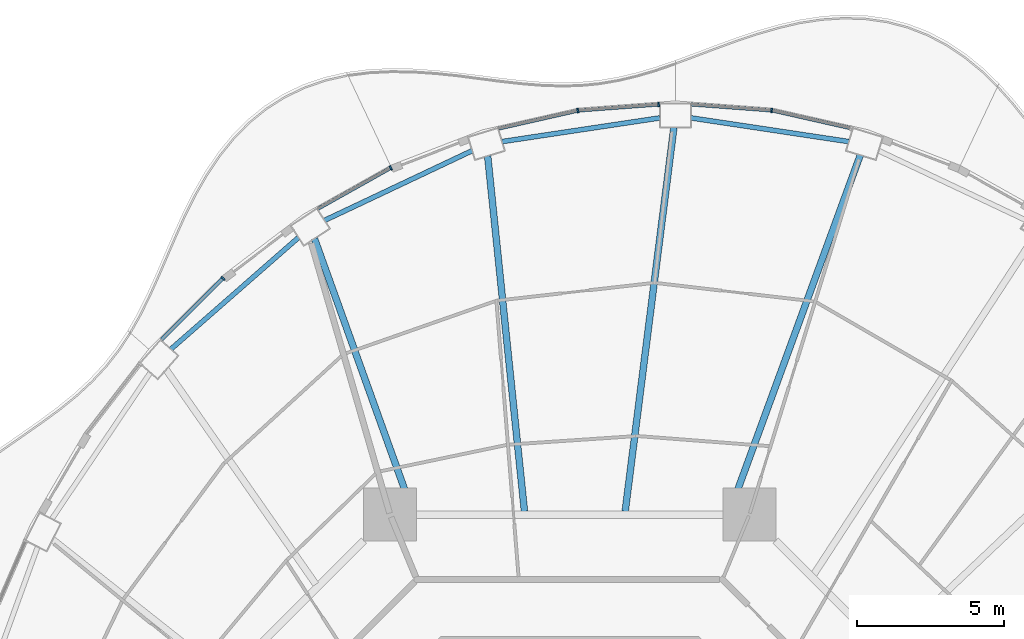
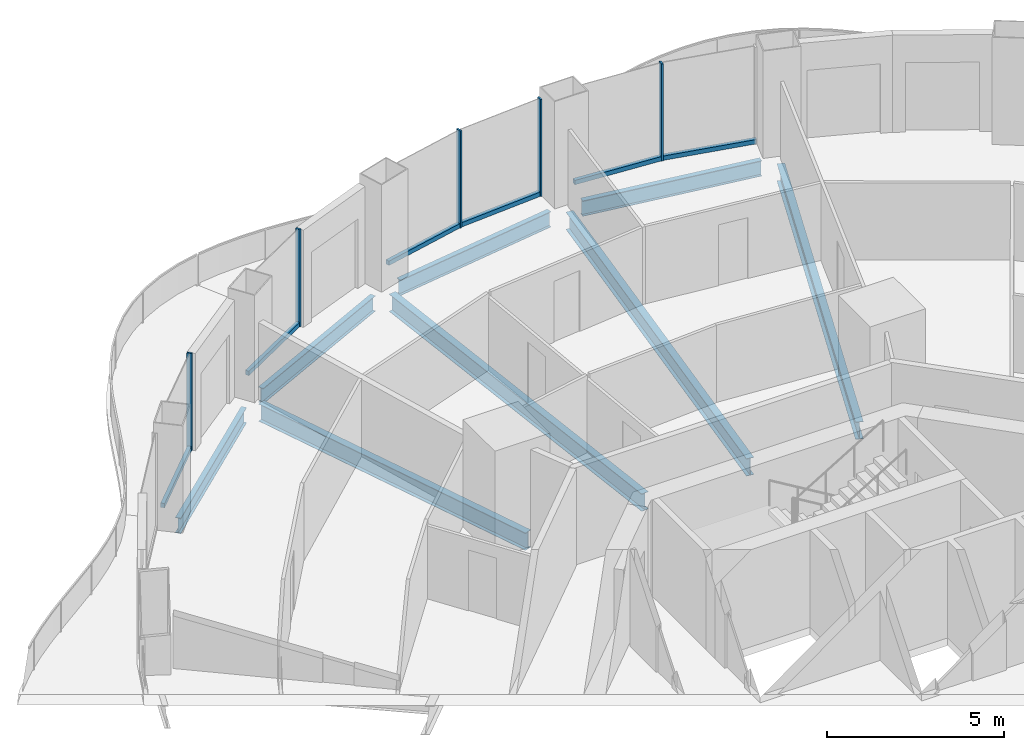
# One storey, part 7 of 19: 11 members, 8 beams, 6 elements without a shape of their own.
"""IFC4 building model written with IfcOpenShell, lengths in metres."""

import ifcopenshell
import ifcopenshell.guid

model = None  # the IFC model being written
_history = None  # IfcOwnerHistory: only IFC2X3 demands one
_inside = {}  # id of a spatial element -> (the spatial element, [elements in it])
_under = {}  # id of a project, library or spatial element -> (it, [spatial elements below it])
_declared = {}  # id of a project -> (the project, [libraries it declares])
_typed = {}  # id of a type object -> (the type object, [elements of that type])
_made_of = {}  # id of a material, layer set ... -> (it, [elements and type objects made of it])


def new_model(schema):
    """Start an empty IFC model of exactly this schema.

    Asked for "IFC4X3", IfcOpenShell would pick the latest addendum, in which some entities
    have other attributes; the version numbers below select the first issue.
    IFC2X3 requires an IfcOwnerHistory on every rooted entity: one is made here for all.
    """
    global model, _history
    if schema == "IFC4X3":
        model = ifcopenshell.file(schema_version=(4, 3, 0, 0))
    else:
        model = ifcopenshell.file(schema=schema)
    _inside.clear()
    _under.clear()
    _declared.clear()
    _typed.clear()
    _made_of.clear()
    _history = None
    if model.schema == "IFC2X3":
        org = make("IfcOrganization", Name="unknown")
        user = make(
            "IfcPersonAndOrganization",
            ThePerson=make("IfcPerson", FamilyName="unknown"),
            TheOrganization=org,
        )
        app = make(
            "IfcApplication",
            ApplicationDeveloper=org,
            Version="unknown",
            ApplicationFullName="unknown",
            ApplicationIdentifier="unknown",
        )
        _history = make(
            "IfcOwnerHistory",
            OwningUser=user,
            OwningApplication=app,
            ChangeAction="ADDED",
            CreationDate=0,
        )
    return model


def make(cls, **values):
    """One entity of the class cls with the attributes given. An attribute that is None is left unset."""
    return model.create_entity(
        cls, **{name: value for name, value in values.items() if value is not None}
    )


def rooted(cls, **values):
    """An entity with a GlobalId (a new one), such as an element, a storey or a relation."""
    return make(cls, GlobalId=ifcopenshell.guid.new(), OwnerHistory=_history, **values)


def si_unit(unit_type, name, prefix=None):
    """IfcSIUnit, for example si_unit("LENGTHUNIT", "METRE", prefix="MILLI")."""
    return make("IfcSIUnit", UnitType=unit_type, Prefix=prefix, Name=name)


def assignment(units):
    """IfcUnitAssignment: the units of a project."""
    return None if units is None else make("IfcUnitAssignment", Units=units)


def point(xyz):
    """IfcCartesianPoint."""
    return None if xyz is None else make("IfcCartesianPoint", Coordinates=xyz)


def direction(xyz):
    """IfcDirection."""
    return None if xyz is None else make("IfcDirection", DirectionRatios=xyz)


def frame(location, z_axis=None, x_axis=None):
    """IfcAxis2Placement3D, a coordinate frame: its origin and axes. An axis left out is left unset."""
    return make(
        "IfcAxis2Placement3D",
        Location=point(location),
        Axis=direction(z_axis),
        RefDirection=direction(x_axis),
    )


def frame_2d(location, x_axis=None):
    """IfcAxis2Placement2D, a coordinate frame in the plane: its origin and x axis."""
    return make(
        "IfcAxis2Placement2D", Location=point(location), RefDirection=direction(x_axis)
    )


def origin():
    """The frame at (0, 0, 0) with its axes left unset."""
    return frame((0.0, 0.0, 0.0))


def origin_2d():
    """The frame at (0, 0) in the plane with its x axis left unset."""
    return frame_2d((0.0, 0.0))


def place(relative_to, where):
    """IfcLocalPlacement: puts the frame where relative to a parent placement (None: the world)."""
    return make(
        "IfcLocalPlacement", PlacementRelTo=relative_to, RelativePlacement=where
    )


def context(
    kind, dimensions, precision=None, world=None, true_north=None, identifier=None
):
    """IfcGeometricRepresentationContext, for example the 3D "Model" context."""
    return make(
        "IfcGeometricRepresentationContext",
        ContextIdentifier=identifier,
        ContextType=kind,
        CoordinateSpaceDimension=dimensions,
        Precision=precision,
        WorldCoordinateSystem=world,
        TrueNorth=true_north,
    )


def subcontext(parent, identifier, kind, view, scale=None):
    """IfcGeometricRepresentationSubContext, for example "Body" below "Model"."""
    return make(
        "IfcGeometricRepresentationSubContext",
        ContextIdentifier=identifier,
        ContextType=kind,
        ParentContext=parent,
        TargetScale=scale,
        TargetView=view,
    )


def project(units=None, contexts=None):
    """IfcProject with its units and contexts."""
    return rooted(
        "IfcProject",
        Name="project",
        RepresentationContexts=contexts,
        UnitsInContext=assignment(units),
    )


def spatial(cls, under=None, at=None, **own):
    """A site, building, storey or space (cls), placed at a placement, below another one or the project."""
    s = rooted(cls, ObjectPlacement=at, **own)
    if under is not None:
        _under.setdefault(under.id(), (under, []))[1].append(s)
    return s


def profile(cls, at=None, kind="AREA", **sizes):
    """A parametric profile (cls). Its sizes go by their IFC names, for example OverallWidth=200.0."""
    return make(cls, ProfileType=kind, Position=at, **sizes)


def rectangle(**sizes):
    """IfcRectangleProfileDef."""
    return profile("IfcRectangleProfileDef", **sizes)


def i_section(**sizes):
    """IfcIShapeProfileDef."""
    return profile("IfcIShapeProfileDef", **sizes)


def extrude(swept, where, along, depth):
    """IfcExtrudedAreaSolid: the profile swept, set in the frame where, extruded along a direction by depth."""
    return make(
        "IfcExtrudedAreaSolid",
        SweptArea=swept,
        Position=where,
        ExtrudedDirection=direction(along),
        Depth=depth,
    )


def shape(context_of_items, identifier, shape_type, items):
    """IfcShapeRepresentation: the items that make up one representation, for example the "Body"."""
    return make(
        "IfcShapeRepresentation",
        ContextOfItems=context_of_items,
        RepresentationIdentifier=identifier,
        RepresentationType=shape_type,
        Items=items,
    )


def material(Name=None, Category=None):
    """IfcMaterial."""
    return make("IfcMaterial", Name=Name, Category=Category)


def layer(
    of_material, thickness, ventilated=None, Name=None, Category=None, Priority=None
):
    """IfcMaterialLayer: one layer of a wall or slab, of a material (None: an air gap)."""
    return make(
        "IfcMaterialLayer",
        Material=of_material,
        LayerThickness=thickness,
        IsVentilated=ventilated,
        Name=Name,
        Category=Category,
        Priority=Priority,
    )


def layer_set(layers, Name=None):
    """IfcMaterialLayerSet."""
    return make("IfcMaterialLayerSet", MaterialLayers=layers, LayerSetName=Name)


def material_profile(
    of_material, cross_section, Name=None, Category=None, Priority=None
):
    """IfcMaterialProfile: a cross section and its material."""
    return make(
        "IfcMaterialProfile",
        Name=Name,
        Material=of_material,
        Profile=cross_section,
        Priority=Priority,
        Category=Category,
    )


def profile_set(profiles, Name=None, composite=None):
    """IfcMaterialProfileSet."""
    return make(
        "IfcMaterialProfileSet",
        Name=Name,
        MaterialProfiles=profiles,
        CompositeProfile=composite,
    )


def made_of(thing, what):
    """Note that an element or type object is made of a material, layer set ...; save() writes the relation."""
    if what is not None:
        _made_of.setdefault(what.id(), (what, []))[1].append(thing)
    return thing


def type_object(cls, material=None, **own):
    """A type object (cls), such as IfcWallType, which elements share."""
    return made_of(rooted(cls, **own), material)


def element(
    cls,
    number,
    at=None,
    inside=None,
    cuts=None,
    type_object=None,
    material=None,
    context=None,
    identifier="Body",
    shape_type=None,
    held_by="IfcProductDefinitionShape",
    body=None,
    shapes=None,
    **own,
):
    """One element of the class cls, such as IfcWall. Its Tag is "e" and its number.

    at: its placement. inside: the storey or other place that contains it. cuts: it is an
    opening in that element (IfcRelVoidsElement). A single representation is given by context,
    identifier, shape_type and body (its items); several are given by shapes. held_by: the class
    of the entity that holds the representations. save() writes the other relations.
    """
    e = rooted(cls, Tag="e%d" % number, ObjectPlacement=at, **own)
    if body is not None:
        shapes = [shape(context, identifier, shape_type, body)]
    if shapes is not None:
        e.Representation = make(held_by, Representations=shapes)
    if inside is not None:
        _inside.setdefault(inside.id(), (inside, []))[1].append(e)
    if cuts is not None:
        rooted(
            "IfcRelVoidsElement", RelatingBuildingElement=cuts, RelatedOpeningElement=e
        )
    if type_object is not None:
        _typed.setdefault(type_object.id(), (type_object, []))[1].append(e)
    return made_of(e, material)


def aggregate(whole, parts):
    """IfcRelAggregates: a whole, such as a stair, and the parts it consists of."""
    return rooted("IfcRelAggregates", RelatingObject=whole, RelatedObjects=parts)


def save(model, path):
    """Write the relations noted so far, then the file.

    IfcRelAggregates (storeys below a building ...), IfcRelContainedInSpatialStructure (elements
    in a storey), IfcRelDefinesByType, IfcRelAssociatesMaterial and IfcRelDeclares: one each for
    every whole, place, type object, material and project.
    """
    for whole, parts in _under.values():
        aggregate(whole, parts)
    for where, things in _inside.values():
        rooted(
            "IfcRelContainedInSpatialStructure",
            RelatedElements=things,
            RelatingStructure=where,
        )
    for kind, things in _typed.values():
        rooted("IfcRelDefinesByType", RelatedObjects=things, RelatingType=kind)
    for what, things in _made_of.values():
        rooted("IfcRelAssociatesMaterial", RelatedObjects=things, RelatingMaterial=what)
    for by, libraries in _declared.values():
        rooted("IfcRelDeclares", RelatingContext=by, RelatedDefinitions=libraries)
    model.write(path)


model = new_model("IFC4")

# Units and contexts
model_context = context("Model", 3, precision=1e-05, world=origin(), true_north=direction((0.0, 1.0)))
body_context = subcontext(model_context, "Body", "Model", "MODEL_VIEW")
ifc_project = project(units=[si_unit("LENGTHUNIT", "METRE"), si_unit("AREAUNIT", "SQUARE_METRE"), si_unit("VOLUMEUNIT", "CUBIC_METRE"), si_unit("PLANEANGLEUNIT", "RADIAN"), si_unit("MASSUNIT", "GRAM", prefix="KILO")], contexts=[model_context])

# Site, building, storey
site_placement = place(None, origin())
site = spatial("IfcSite", under=ifc_project, at=site_placement, CompositionType="ELEMENT")
building_placement = place(site_placement, origin())
building = spatial("IfcBuilding", under=site, at=building_placement, Name="Nagisa Residences", CompositionType="ELEMENT")
storey_placement = place(building_placement, frame((0.0, 0.0, 202.89990234375)))
storey = spatial("IfcBuildingStorey", under=building, at=storey_placement, Name="L51", CompositionType="ELEMENT", Elevation=202.89990234375)

# Curtain wall, member
ifc_material_1 = material(Name="Concrete-coloured aluminium curtain wall system", Category="concrete")
ifc_layer = layer(ifc_material_1, 0.159912109375)
ifc_layer_set = layer_set([ifc_layer], Name="CW1 CURTAIN WALL")
curtain_wall_type = type_object("IfcCurtainWallType", Name="CW1 CURTAIN WALL", PredefinedType="NOTDEFINED", material=ifc_layer_set)
curtain_wall_1_placement = place(storey_placement, origin())
curtain_wall_1 = element("IfcCurtainWall", 1, at=curtain_wall_1_placement, inside=storey, type_object=curtain_wall_type, Name="cw:CW1:L51:11", PredefinedType="NOTDEFINED")
ifc_material_2 = material(Name="Concrete-coloured aluminium", Category="concrete")
ifc_material_profile_1 = material_profile(ifc_material_2, rectangle(XDim=0.159912109375, YDim=0.06005859375, at=origin_2d()), Name="CW1 MULLION 160x60")
ifc_profile_set_1 = profile_set([ifc_material_profile_1], Name="Concrete-coloured aluminium")
member_type_1 = type_object("IfcMemberType", Name="CW1 MULLION 160x60", PredefinedType="MULLION", material=ifc_profile_set_1)
member_1_placement = place(storey_placement, frame((6.876220703125, 28.550537109375, 0.0), z_axis=(0.0, 0.0, 1.0), x_axis=(-0.074377355493, -0.997230168512, 0.0)))
member_1 = element("IfcMember", 2, at=member_1_placement, type_object=member_type_1, Name="CW1 mullion", PredefinedType="MULLION", context=body_context, shape_type="SweptSolid", body=[
    extrude(rectangle(XDim=0.159912109375, YDim=0.06005859375, at=origin_2d()), origin(), (0.0, 0.0, 1.0), 3.35009765625),
])

curtain_wall_2_placement = place(storey_placement, origin())
curtain_wall_2 = element("IfcCurtainWall", 3, at=curtain_wall_2_placement, inside=storey, type_object=curtain_wall_type, Name="cw:CW1:L51:12", PredefinedType="NOTDEFINED")
member_2_placement = place(storey_placement, frame((3.027587890625, 28.752197265625, 0.0), z_axis=(0.0, 0.0, 1.0), x_axis=(0.074377355493, -0.997230168512, 0.0)))
member_2 = element("IfcMember", 4, at=member_2_placement, type_object=member_type_1, Name="CW1 mullion", PredefinedType="MULLION", context=body_context, shape_type="SweptSolid", body=[
    extrude(rectangle(XDim=0.159912109375, YDim=0.06005859375, at=origin_2d()), origin(), (0.0, 0.0, 1.0), 3.35009765625),
])

curtain_wall_3_placement = place(storey_placement, origin())
curtain_wall_3 = element("IfcCurtainWall", 5, at=curtain_wall_3_placement, inside=storey, type_object=curtain_wall_type, Name="cw:CW1:L51:13", PredefinedType="NOTDEFINED")
member_3_placement = place(storey_placement, frame((0.2763671875, 28.543212890625, 0.0), z_axis=(0.0, 0.0, 1.0), x_axis=(0.2207639201, -0.975327274089, 0.0)))
member_3 = element("IfcMember", 6, at=member_3_placement, type_object=member_type_1, Name="CW1 mullion", PredefinedType="MULLION", context=body_context, shape_type="SweptSolid", body=[
    extrude(rectangle(XDim=0.159912109375, YDim=0.06005859375, at=origin_2d()), origin(), (0.0, 0.0, 1.0), 3.35009765625),
])

curtain_wall_4_placement = place(storey_placement, origin())
curtain_wall_4 = element("IfcCurtainWall", 7, at=curtain_wall_4_placement, inside=storey, type_object=curtain_wall_type, Name="cw:CW1:L51:15", PredefinedType="NOTDEFINED")
member_4_placement = place(storey_placement, frame((-6.09765625, 26.592529296875, 0.0), z_axis=(0.0, 0.0, 1.0), x_axis=(0.489376918501, -0.872072377523, 0.0)))
member_4 = element("IfcMember", 8, at=member_4_placement, type_object=member_type_1, Name="CW1 mullion", PredefinedType="MULLION", context=body_context, shape_type="SweptSolid", body=[
    extrude(rectangle(XDim=0.159912109375, YDim=0.06005859375, at=origin_2d()), origin(), (0.0, 0.0, 1.0), 3.35009765625),
])

curtain_wall_5_placement = place(storey_placement, origin())
curtain_wall_5 = element("IfcCurtainWall", 9, at=curtain_wall_5_placement, inside=storey, type_object=curtain_wall_type, Name="cw:CW1:L51:17", PredefinedType="NOTDEFINED")
member_5_placement = place(storey_placement, frame((-11.81201171875, 22.830322265625, 0.0), z_axis=(0.0, 0.0, 1.0), x_axis=(0.706376885714, -0.707835924016, 0.0)))
member_5 = element("IfcMember", 10, at=member_5_placement, type_object=member_type_1, Name="CW1 mullion", PredefinedType="MULLION", context=body_context, shape_type="SweptSolid", body=[
    extrude(rectangle(XDim=0.159912109375, YDim=0.06005859375, at=origin_2d()), origin(), (0.0, 0.0, 1.0), 3.35009765625),
])

curtain_wall_6_placement = place(storey_placement, origin())
curtain_wall_6 = element("IfcCurtainWall", 11, at=curtain_wall_6_placement, inside=storey, type_object=curtain_wall_type, Name="cw:CW1:L51:10", PredefinedType="NOTDEFINED")
ifc_material_3 = material(Name="Concrete-coloured aluminium", Category="concrete")
ifc_material_profile_2 = material_profile(ifc_material_3, rectangle(XDim=0.1201171875, YDim=0.14990234375, at=origin_2d()), Name="CW1 TRANSOM 120x150")
ifc_profile_set_2 = profile_set([ifc_material_profile_2], Name="Concrete-coloured aluminium")
member_type_2 = type_object("IfcMemberType", Name="CW1 TRANSOM 120x150", PredefinedType="USERDEFINED", material=ifc_profile_set_2)
member_6_placement = place(storey_placement, frame((9.613525390625, 27.9345703125, 0.0751953125), z_axis=(-0.975324329911, 0.220776926974, 0.0), x_axis=(-0.220776926974, -0.975324329911, 0.0)))
member_6 = element("IfcMember", 12, at=member_6_placement, type_object=member_type_2, Name="CW1 transom", ObjectType="TRANSOM", PredefinedType="USERDEFINED", context=body_context, shape_type="SweptSolid", body=[
    extrude(rectangle(XDim=0.1201171875, YDim=0.14990234375, at=origin_2d()), origin(), (0.0, 0.0, 1.0), 2.787841796875),
])
aggregate(curtain_wall_6, [member_6])

# Member
member_7_placement = place(storey_placement, frame((6.90625, 28.548095703125, 0.0751953125), z_axis=(-0.997225528735, 0.074439538143, 0.0), x_axis=(-0.074439538143, -0.997225528735, 0.0)))
member_7 = element("IfcMember", 13, at=member_7_placement, type_object=member_type_2, Name="CW1 transom", ObjectType="TRANSOM", PredefinedType="USERDEFINED", context=body_context, shape_type="SweptSolid", body=[
    extrude(rectangle(XDim=0.1201171875, YDim=0.14990234375, at=origin_2d()), origin(), (0.0, 0.0, 1.0), 2.771240234375),
])

aggregate(curtain_wall_1, [member_1, member_7])

member_8_placement = place(storey_placement, frame((3.057373046875, 28.75439453125, 0.0751953125), z_axis=(-0.99722504052, -0.074446078208, 0.0), x_axis=(0.074446078208, -0.99722504052, 0.0)))
member_8 = element("IfcMember", 14, at=member_8_placement, type_object=member_type_2, Name="CW1 transom", ObjectType="TRANSOM", PredefinedType="USERDEFINED", context=body_context, shape_type="SweptSolid", body=[
    extrude(rectangle(XDim=0.1201171875, YDim=0.14990234375, at=origin_2d()), origin(), (0.0, 0.0, 1.0), 2.77099609375),
])

aggregate(curtain_wall_2, [member_2, member_8])

member_9_placement = place(storey_placement, frame((0.3056640625, 28.550048828125, 0.0751953125), z_axis=(-0.975324329911, -0.220776926974, 0.0), x_axis=(0.220776926974, -0.975324329911, 0.0)))
member_9 = element("IfcMember", 15, at=member_9_placement, type_object=member_type_2, Name="CW1 transom", ObjectType="TRANSOM", PredefinedType="USERDEFINED", context=body_context, shape_type="SweptSolid", body=[
    extrude(rectangle(XDim=0.1201171875, YDim=0.14990234375, at=origin_2d()), origin(), (0.0, 0.0, 1.0), 2.787841796875),
])

aggregate(curtain_wall_3, [member_3, member_9])

member_10_placement = place(storey_placement, frame((-6.071533203125, 26.607177734375, 0.0751953125), z_axis=(-0.872057843239, -0.489402817774, 0.0), x_axis=(0.489402817774, -0.872057843239, 0.0)))
member_10 = element("IfcMember", 16, at=member_10_placement, type_object=member_type_2, Name="CW1 transom", ObjectType="TRANSOM", PredefinedType="USERDEFINED", context=body_context, shape_type="SweptSolid", body=[
    extrude(rectangle(XDim=0.1201171875, YDim=0.14990234375, at=origin_2d()), origin(), (0.0, 0.0, 1.0), 2.863525390625),
])

aggregate(curtain_wall_4, [member_4, member_10])

member_11_placement = place(storey_placement, frame((-11.790771484375, 22.8515625, 0.0751953125), z_axis=(-0.707803821372, -0.706409053206, 0.0), x_axis=(0.706409053206, -0.707803821372, 0.0)))
member_11 = element("IfcMember", 17, at=member_11_placement, type_object=member_type_2, Name="CW1 transom", ObjectType="TRANSOM", PredefinedType="USERDEFINED", context=body_context, shape_type="SweptSolid", body=[
    extrude(rectangle(XDim=0.1201171875, YDim=0.14990234375, at=origin_2d()), origin(), (0.0, 0.0, 1.0), 2.9755859375),
])

aggregate(curtain_wall_5, [member_5, member_11])

# Beams
ifc_material_4 = material(Name="Steel ASTM A572 Gr 50", Category="steel")
ifc_material_profile_3 = material_profile(ifc_material_4, i_section(OverallWidth=0.166015625, OverallDepth=0.534912109375, WebThickness=0.01025390625, FlangeThickness=0.0166015625, at=origin_2d()), Name="W530x85")
ifc_profile_set_3 = profile_set([ifc_material_profile_3], Name="Steel ASTM A572 Gr 50")
beam_type_1 = type_object("IfcBeamType", Name="Perimeter ring beam W530x85", PredefinedType="BEAM", material=ifc_profile_set_3)
for number, where, z_axis, x_axis, name in (
    (18, (9.508056640625, 27.48779296875, -0.52734375), (-0.988911312658, 0.148507291732, 0.0), (-0.148507291732, -0.988911312658, 0.0), "beam:L51:pb06"),
    (19, (3.06982421875, 28.29541015625, -0.52734375), (-0.988911312658, -0.148507291732, 0.0), (0.148507291732, -0.988911312658, 0.0), "beam:L51:pb07"),
):
    element("IfcBeam", number, at=place(storey_placement, frame(where, z_axis=z_axis, x_axis=x_axis)), inside=storey, type_object=beam_type_1, Name=name, PredefinedType="BEAM", context=body_context, shape_type="SweptSolid", body=[
        extrude(i_section(OverallWidth=0.166015625, OverallDepth=0.534912109375, WebThickness=0.01025390625, FlangeThickness=0.0166015625, at=origin_2d()), origin(), (0.0, 0.0, 1.0), 5.438232421875),
    ])
beam_1_placement = place(storey_placement, frame((-3.32275390625, 27.17919921875, -0.52734375), z_axis=(-0.904157325884, -0.427199637232, 0.0), x_axis=(0.427199637232, -0.904157325884, 0.0)))
element("IfcBeam", 20, at=beam_1_placement, inside=storey, type_object=beam_type_1, Name="beam:L51:pb08", PredefinedType="BEAM", context=body_context, shape_type="SweptSolid", body=[
    extrude(i_section(OverallWidth=0.166015625, OverallDepth=0.534912109375, WebThickness=0.01025390625, FlangeThickness=0.0166015625, at=origin_2d()), origin(), (0.0, 0.0, 1.0), 5.56396484375),
])
beam_2_placement = place(storey_placement, frame((-9.240234375, 24.220947265625, -0.52734375), z_axis=(-0.752461486776, -0.658636250838, 0.0), x_axis=(0.658636250838, -0.752461486776, 0.0)))
element("IfcBeam", 21, at=beam_2_placement, inside=storey, type_object=beam_type_1, Name="beam:L51:pb09", PredefinedType="BEAM", context=body_context, shape_type="SweptSolid", body=[
    extrude(i_section(OverallWidth=0.166015625, OverallDepth=0.534912109375, WebThickness=0.01025390625, FlangeThickness=0.0166015625, at=origin_2d()), origin(), (0.0, 0.0, 1.0), 5.776611328125),
])
ifc_material_5 = material(Name="Steel ASTM A572 Gr 50", Category="steel")
ifc_material_profile_4 = material_profile(ifc_material_5, i_section(OverallWidth=0.22802734375, OverallDepth=0.60302734375, WebThickness=0.010498046875, FlangeThickness=0.014892578125, at=origin_2d()), Name="W610x101")
ifc_profile_set_4 = profile_set([ifc_material_profile_4], Name="Steel ASTM A572 Gr 50")
beam_type_2 = type_object("IfcBeamType", Name="Radial beam W610x101", PredefinedType="BEAM", material=ifc_profile_set_4)
beam_3_placement = place(storey_placement, frame((9.898681640625, 27.02734375, -0.5615234375), z_axis=(-0.343903309659, -0.939005065804, 0.0), x_axis=(0.939005065804, -0.343903309659, 0.0)))
element("IfcBeam", 22, at=beam_3_placement, inside=storey, type_object=beam_type_2, Name="beam:L51:rb06", PredefinedType="BEAM", context=body_context, shape_type="SweptSolid", body=[
    extrude(i_section(OverallWidth=0.22802734375, OverallDepth=0.60302734375, WebThickness=0.010498046875, FlangeThickness=0.014892578125, at=origin_2d()), origin(), (0.0, 0.0, 1.0), 12.92529296875),
])
beam_4_placement = place(storey_placement, frame((3.548583984375, 27.9697265625, -0.5615234375), z_axis=(-0.125871302495, -0.992046579153, 0.0), x_axis=(0.992046579153, -0.125871302495, 0.0)))
element("IfcBeam", 23, at=beam_4_placement, inside=storey, type_object=beam_type_2, Name="beam:L51:rb07", PredefinedType="BEAM", context=body_context, shape_type="SweptSolid", body=[
    extrude(i_section(OverallWidth=0.22802734375, OverallDepth=0.60302734375, WebThickness=0.010498046875, FlangeThickness=0.014892578125, at=origin_2d()), origin(), (0.0, 0.0, 1.0), 13.185546875),
])
beam_5_placement = place(storey_placement, frame((-2.795654296875, 26.997314453125, -0.5615234375), z_axis=(0.103007948723, -0.994680532885, 0.0), x_axis=(0.994680532885, 0.103007948723, 0.0)))
element("IfcBeam", 24, at=beam_5_placement, inside=storey, type_object=beam_type_2, Name="beam:L51:rb08", PredefinedType="BEAM", context=body_context, shape_type="SweptSolid", body=[
    extrude(i_section(OverallWidth=0.22802734375, OverallDepth=0.60302734375, WebThickness=0.010498046875, FlangeThickness=0.014892578125, at=origin_2d()), origin(), (0.0, 0.0, 1.0), 12.1728515625),
])
beam_6_placement = place(storey_placement, frame((-8.6962890625, 24.180908203125, -0.5615234375), z_axis=(0.338417364879, -0.940996114311, 0.0), x_axis=(0.940996114311, 0.338417364879, 0.0)))
element("IfcBeam", 25, at=beam_6_placement, inside=storey, type_object=beam_type_2, Name="beam:L51:rb09", PredefinedType="BEAM", context=body_context, shape_type="SweptSolid", body=[
    extrude(i_section(OverallWidth=0.22802734375, OverallDepth=0.60302734375, WebThickness=0.010498046875, FlangeThickness=0.014892578125, at=origin_2d()), origin(), (0.0, 0.0, 1.0), 9.873291015625),
])

save(model, "model.ifc")
